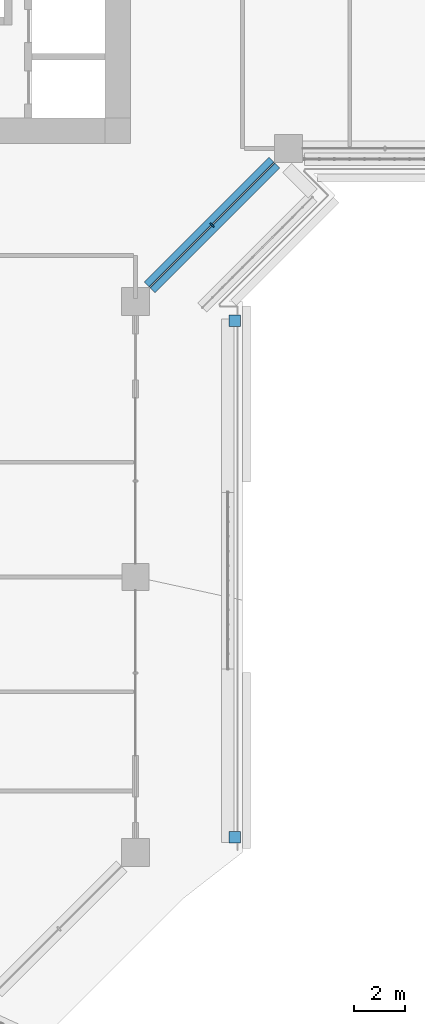
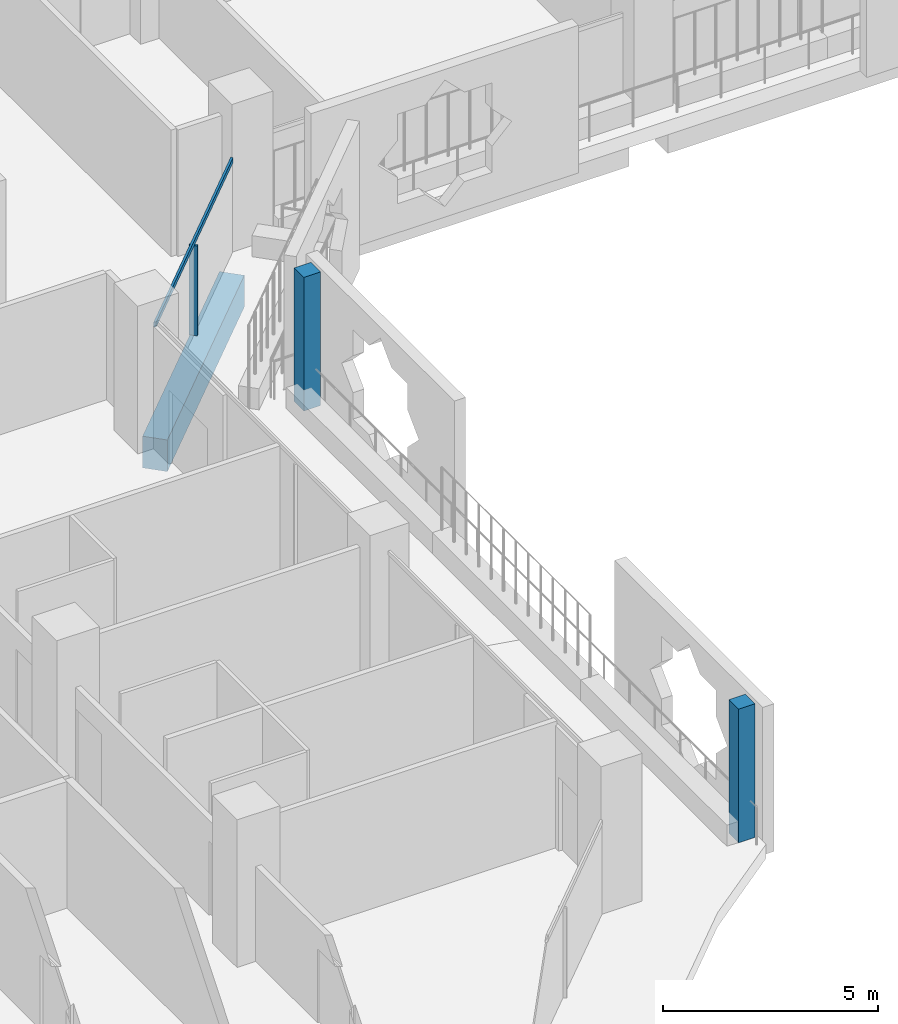
# One storey, part 4 of 25: 4 members, 1 beam, 2 elements without a shape of their own.
"""IFC4 building model written with IfcOpenShell, lengths in metres."""

from ifc_helpers import new_model, si_unit, direction, frame, origin, origin_2d, place, context, subcontext, project, spatial, rectangle, extrude, material, layer, layer_set, material_profile, profile_set, type_object, element, aggregate, save


model = new_model("IFC4")

# Units and contexts
model_context = context("Model", 3, precision=1e-05, world=origin(), true_north=direction((0.0, 1.0)))
body_context = subcontext(model_context, "Body", "Model", "MODEL_VIEW")
ifc_project = project(units=[si_unit("LENGTHUNIT", "METRE"), si_unit("AREAUNIT", "SQUARE_METRE"), si_unit("VOLUMEUNIT", "CUBIC_METRE"), si_unit("PLANEANGLEUNIT", "RADIAN"), si_unit("MASSUNIT", "GRAM", prefix="KILO")], contexts=[model_context])

# Site, building, storey
site_placement = place(None, origin())
site = spatial("IfcSite", under=ifc_project, at=site_placement, CompositionType="ELEMENT")
building_placement = place(site_placement, origin())
building = spatial("IfcBuilding", under=site, at=building_placement, Name="Kawkab Arch Medical Tower", CompositionType="ELEMENT")
storey_placement = place(building_placement, frame((0.0, 0.0, 128.199951171875)))
storey = spatial("IfcBuildingStorey", under=building, at=storey_placement, Name="L29", CompositionType="ELEMENT", Elevation=128.199951171875)

# Curtain wall, members
ifc_material_1 = material(Name="Bronze anodised aluminium curtain wall frame", Category="aluminium")
ifc_layer_1 = layer(ifc_material_1, 0.159912109375)
ifc_layer_set_1 = layer_set([ifc_layer_1], Name="Bronze anodised aluminium curtain wall frame")
curtain_wall_type_1 = type_object("IfcCurtainWallType", Name="CW2 chamfer curtain wall", PredefinedType="NOTDEFINED", material=ifc_layer_set_1)
placement = place(storey_placement, origin())
curtain_wall_1 = element("IfcCurtainWall", 1, at=placement, inside=storey, type_object=curtain_wall_type_1, Name="CW2 Chamfer curtain wall R06", PredefinedType="NOTDEFINED")
ifc_material_2 = material(Name="Bronze anodised aluminium curtain wall frame", Category="aluminium")
ifc_material_profile_1 = material_profile(ifc_material_2, rectangle(XDim=0.199951171875, YDim=0.06005859375, at=origin_2d()), Name="AL 60x200")
ifc_profile_set_1 = profile_set([ifc_material_profile_1], Name="Bronze anodised aluminium curtain wall frame")
member_type_1 = type_object("IfcMemberType", Name="CW2 mullion 60 x 200", PredefinedType="MULLION", material=ifc_profile_set_1)
member_1_placement = place(storey_placement, frame((28.199951171875, -28.199951171875, 0.0), z_axis=(0.0, 0.0, 1.0), x_axis=(-0.707106781187, 0.707106781187, 0.0)))
member_1 = element("IfcMember", 2, at=member_1_placement, type_object=member_type_1, Name="CW2 mullion 1.1", PredefinedType="MULLION", context=body_context, shape_type="SweptSolid", body=[
    extrude(rectangle(XDim=0.199951171875, YDim=0.06005859375, at=origin_2d()), origin(), (0.0, 0.0, 1.0), 2.56005859375),
])
ifc_material_3 = material(Name="Bronze anodised aluminium curtain wall frame", Category="aluminium")
ifc_material_profile_2 = material_profile(ifc_material_3, rectangle(XDim=0.06005859375, YDim=0.139892578125, at=origin_2d()), Name="AL 60x140")
ifc_profile_set_2 = profile_set([ifc_material_profile_2], Name="Bronze anodised aluminium curtain wall frame")
member_type_2 = type_object("IfcMemberType", Name="CW2 transom 140 x 60", PredefinedType="USERDEFINED", material=ifc_profile_set_2)
member_2_placement = place(storey_placement, frame((25.75, -30.64990234375, 2.630126953125), z_axis=(0.707106781187, 0.707106781187, 0.0), x_axis=(-0.707106781187, 0.707106781187, 0.0)))
member_2 = element("IfcMember", 3, at=member_2_placement, type_object=member_type_2, Name="CW2 transom 1", ObjectType="TRANSOM", PredefinedType="USERDEFINED", context=body_context, shape_type="SweptSolid", body=[
    extrude(rectangle(XDim=0.06005859375, YDim=0.139892578125, at=origin_2d()), origin(), (0.0, 0.0, 1.0), 6.929443359375),
])
aggregate(curtain_wall_1, [member_2, member_1])

ifc_material_4 = material(Name="Bronze anodised aluminium climber frame, planted", Category="aluminium")
ifc_layer_2 = layer(ifc_material_4, 0.449951171875)
ifc_layer_set_2 = layer_set([ifc_layer_2], Name="Bronze anodised aluminium climber frame, planted")
curtain_wall_type_2 = type_object("IfcCurtainWallType", Name="Planted climber frame", PredefinedType="NOTDEFINED", material=ifc_layer_set_2)
curtain_wall_2 = element("IfcCurtainWall", 4, at=placement, inside=storey, type_object=curtain_wall_type_2, Name="Planted climber frame L29", PredefinedType="NOTDEFINED")
ifc_material_5 = material(Name="Bronze anodised aluminium climber frame, planted", Category="aluminium")
ifc_material_profile_3 = material_profile(ifc_material_5, rectangle(XDim=0.449951171875, YDim=0.449951171875, at=origin_2d()), Name="Post 450x450")
ifc_profile_set_3 = profile_set([ifc_material_profile_3], Name="Bronze anodised aluminium climber frame, planted")
member_type_3 = type_object("IfcMemberType", Name="Planted climber post 450 x 450", PredefinedType="MULLION", material=ifc_profile_set_3)
member_3_placement = place(storey_placement, frame((29.10009765625, -31.949951171875, 0.0), z_axis=(0.0, 0.0, 1.0), x_axis=(1.0, 0.0, 0.0)))
member_3 = element("IfcMember", 5, at=member_3_placement, type_object=member_type_3, Name="Planted climber post L29.LOG-01-01.5", PredefinedType="MULLION", context=body_context, shape_type="SweptSolid", body=[
    extrude(rectangle(XDim=0.449951171875, YDim=0.449951171875, at=origin_2d()), origin(), (0.0, 0.0, 1.0), 3.800048828125),
])
member_4_placement = place(storey_placement, frame((29.10009765625, -52.202880859375, 0.0), z_axis=(0.0, 0.0, 1.0), x_axis=(1.0, 0.0, 0.0)))
member_4 = element("IfcMember", 6, at=member_4_placement, type_object=member_type_3, Name="Planted climber post L29.LOG-01-01.6", PredefinedType="MULLION", context=body_context, shape_type="SweptSolid", body=[
    extrude(rectangle(XDim=0.449951171875, YDim=0.449951171875, at=origin_2d()), origin(), (0.0, 0.0, 1.0), 3.800048828125),
])
aggregate(curtain_wall_2, [member_3, member_4])

# Beam
ifc_material_6 = material(Name="Concrete C55/67", Category="concrete")
ifc_material_profile_4 = material_profile(ifc_material_6, rectangle(XDim=0.60009765625, YDim=0.89990234375, at=origin_2d()), Name="RC 600x900")
ifc_profile_set_4 = profile_set([ifc_material_profile_4], Name="Concrete C55/67")
beam_type = type_object("IfcBeamType", Name="RC 600x900 beam C55/67", PredefinedType="BEAM", material=ifc_profile_set_4)
beam_placement = place(storey_placement, frame((30.64990234375, -25.75, -1.050048828125), z_axis=(-0.707106781187, -0.707106781187, 0.0), x_axis=(0.707106781187, -0.707106781187, 0.0)))
element("IfcBeam", 7, at=beam_placement, inside=storey, type_object=beam_type, Name="Overhang edge beam L29-06", PredefinedType="BEAM", context=body_context, shape_type="SweptSolid", body=[
    extrude(rectangle(XDim=0.60009765625, YDim=0.89990234375, at=origin_2d()), origin(), (0.0, 0.0, 1.0), 6.929443359375),
])

save(model, "model.ifc")
